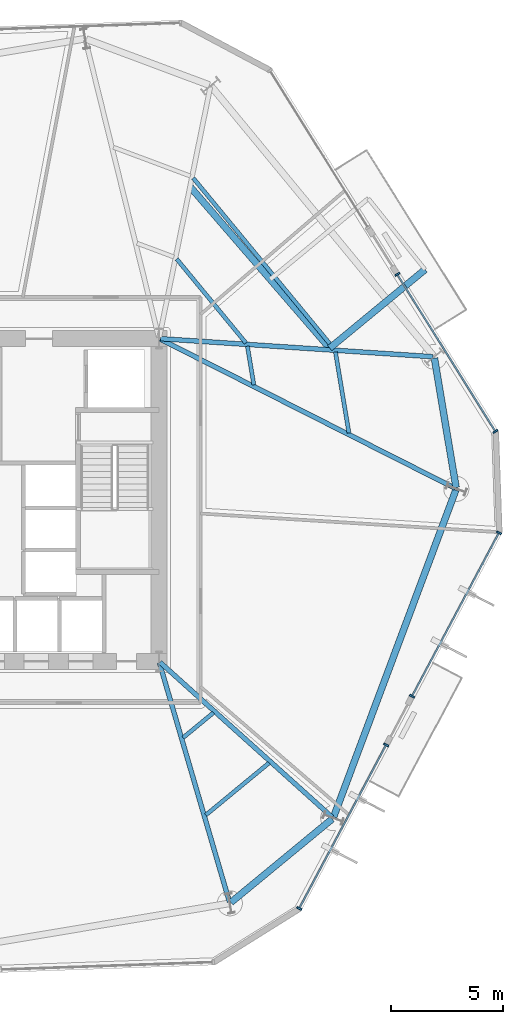
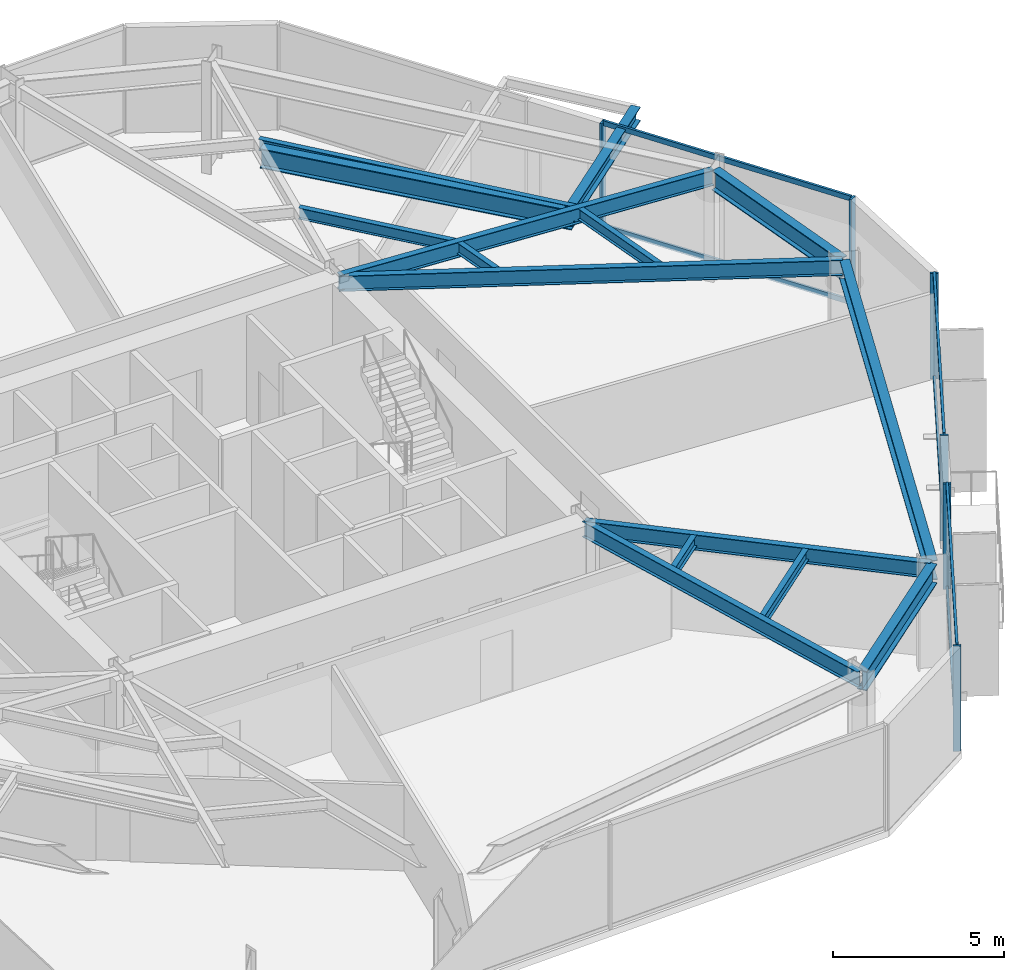
# One storey, part 3 of 10: 15 beams, 12 members, 3 elements without a shape of their own.
"""IFC4 building model written with IfcOpenShell, lengths in metres."""

from ifc_helpers import new_model, si_unit, direction, frame, origin, origin_2d, place, context, subcontext, project, spatial, rectangle, i_section, extrude, material, layer, layer_set, material_profile, profile_set, type_object, element, aggregate, save


model = new_model("IFC4")

# Units and contexts
model_context = context("Model", 3, precision=1e-05, world=origin(), true_north=direction((0.0, 1.0)))
body_context = subcontext(model_context, "Body", "Model", "MODEL_VIEW")
ifc_project = project(units=[si_unit("LENGTHUNIT", "METRE"), si_unit("AREAUNIT", "SQUARE_METRE"), si_unit("VOLUMEUNIT", "CUBIC_METRE"), si_unit("PLANEANGLEUNIT", "RADIAN"), si_unit("MASSUNIT", "GRAM", prefix="KILO")], contexts=[model_context])

# Site, building, storey
site_placement = place(None, origin())
site = spatial("IfcSite", under=ifc_project, at=site_placement, CompositionType="ELEMENT")
building_placement = place(site_placement, origin())
building = spatial("IfcBuilding", under=site, at=building_placement, Name="Kranzbogen Civic Tower", CompositionType="ELEMENT")
storey_placement = place(building_placement, frame((0.0, 0.0, 28.0)))
storey = spatial("IfcBuildingStorey", under=building, at=storey_placement, Name="L06", CompositionType="ELEMENT", Elevation=28.0)

# Curtain wall, members
ifc_material_1 = material(Name="Pale Anodised Aluminium", Category="aluminium")
ifc_layer = layer(ifc_material_1, 0.219970703125, Name="Pale Anodised Aluminium")
ifc_layer_set = layer_set([ifc_layer], Name="Pale Anodised Aluminium")
curtain_wall_type = type_object("IfcCurtainWallType", Name="Zone 1 Stick Curtain Wall System CW-02", PredefinedType="USERDEFINED", material=ifc_layer_set)
curtain_wall_1_placement = place(storey_placement, origin())
curtain_wall_1 = element("IfcCurtainWall", 1, at=curtain_wall_1_placement, inside=storey, type_object=curtain_wall_type, Name="L06 curtain wall CW-L06-F1-S1", ObjectType="STICK CURTAIN WALL", PredefinedType="USERDEFINED")
ifc_material_profile_1 = material_profile(ifc_material_1, rectangle(XDim=0.080078125, YDim=0.239990234375, at=origin_2d()), Name="ALU-M 80x240")
ifc_profile_set_1 = profile_set([ifc_material_profile_1], Name="Pale Anodised Aluminium")
member_type_1 = type_object("IfcMemberType", Name="Curtain Wall Mullion ALU-M 80x240", PredefinedType="MULLION", material=ifc_profile_set_1)
member_1_placement = place(storey_placement, frame((47.80322265625, 28.060546875, 0.0), z_axis=(0.0, 0.0, 1.0), x_axis=(-0.529934100167, 0.848038825456, 0.0)))
member_1 = element("IfcMember", 2, at=member_1_placement, type_object=member_type_1, Name="CW-02 mullion 1", PredefinedType="MULLION", context=body_context, shape_type="SweptSolid", body=[
    extrude(rectangle(XDim=0.080078125, YDim=0.239990234375, at=origin_2d()), origin(), (0.0, 0.0, 1.0), 3.760009765625),
])
member_2_placement = place(storey_placement, frame((43.427001953125, 35.0634765625, 0.0), z_axis=(0.0, 0.0, 1.0), x_axis=(-0.529934100167, 0.848038825456, 0.0)))
member_2 = element("IfcMember", 3, at=member_2_placement, type_object=member_type_1, Name="CW-02 mullion 2", PredefinedType="MULLION", context=body_context, shape_type="SweptSolid", body=[
    extrude(rectangle(XDim=0.080078125, YDim=0.239990234375, at=origin_2d()), origin(), (0.0, 0.0, 1.0), 3.760009765625),
])

curtain_wall_2_placement = place(storey_placement, origin())
curtain_wall_2 = element("IfcCurtainWall", 4, at=curtain_wall_2_placement, inside=storey, type_object=curtain_wall_type, Name="L06 curtain wall CW-L06-F6-S1", ObjectType="STICK CURTAIN WALL", PredefinedType="USERDEFINED")
member_3_placement = place(storey_placement, frame((39.052001953125, 6.781494140625, 0.0), z_axis=(0.0, 0.0, 1.0), x_axis=(0.469383710583, 0.882994299098, 0.0)))
member_3 = element("IfcMember", 5, at=member_3_placement, type_object=member_type_1, Name="CW-02 mullion 1", PredefinedType="MULLION", context=body_context, shape_type="SweptSolid", body=[
    extrude(rectangle(XDim=0.080078125, YDim=0.239990234375, at=origin_2d()), origin(), (0.0, 0.0, 1.0), 3.760009765625),
])
member_4_placement = place(storey_placement, frame((42.928955078125, 14.074462890625, 0.0), z_axis=(0.0, 0.0, 1.0), x_axis=(0.469383710583, 0.882994299098, 0.0)))
member_4 = element("IfcMember", 6, at=member_4_placement, type_object=member_type_1, Name="CW-02 mullion 2", PredefinedType="MULLION", context=body_context, shape_type="SweptSolid", body=[
    extrude(rectangle(XDim=0.080078125, YDim=0.239990234375, at=origin_2d()), origin(), (0.0, 0.0, 1.0), 3.760009765625),
])

curtain_wall_3_placement = place(storey_placement, origin())
curtain_wall_3 = element("IfcCurtainWall", 7, at=curtain_wall_3_placement, inside=storey, type_object=curtain_wall_type, Name="L06 curtain wall CW-L06-F6-S2", ObjectType="STICK CURTAIN WALL", PredefinedType="USERDEFINED")
member_5_placement = place(storey_placement, frame((44.083984375, 16.24658203125, 0.0), z_axis=(0.0, 0.0, 1.0), x_axis=(0.469433533878, 0.882967812137, 0.0)))
member_5 = element("IfcMember", 8, at=member_5_placement, type_object=member_type_1, Name="CW-02 mullion 1", PredefinedType="MULLION", context=body_context, shape_type="SweptSolid", body=[
    extrude(rectangle(XDim=0.080078125, YDim=0.239990234375, at=origin_2d()), origin(), (0.0, 0.0, 1.0), 3.760009765625),
])
member_6_placement = place(storey_placement, frame((47.9609375, 23.53857421875, 0.0), z_axis=(0.0, 0.0, 1.0), x_axis=(0.469433533878, 0.882967812137, 0.0)))
member_6 = element("IfcMember", 9, at=member_6_placement, type_object=member_type_1, Name="CW-02 mullion 2", PredefinedType="MULLION", context=body_context, shape_type="SweptSolid", body=[
    extrude(rectangle(XDim=0.080078125, YDim=0.239990234375, at=origin_2d()), origin(), (0.0, 0.0, 1.0), 3.760009765625),
])

# Member
ifc_material_profile_2 = material_profile(ifc_material_1, rectangle(XDim=0.080078125, YDim=0.179931640625, at=origin_2d()), Name="ALU-T 80x180")
ifc_profile_set_2 = profile_set([ifc_material_profile_2], Name="Pale Anodised Aluminium")
member_type_2 = type_object("IfcMemberType", Name="Curtain Wall Transom ALU-T 80x180", PredefinedType="USERDEFINED", material=ifc_profile_set_2)
member_7_placement = place(storey_placement, frame((47.787109375, 28.0859375, 0.030029296875), z_axis=(-0.529923983383, 0.848045147286, 0.0), x_axis=(-0.848045147286, -0.529923983383, 0.0)))
member_7 = element("IfcMember", 10, at=member_7_placement, type_object=member_type_2, Name="CW-02 transom 1.1", ObjectType="TRANSOM", PredefinedType="USERDEFINED", context=body_context, shape_type="SweptSolid", body=[
    extrude(rectangle(XDim=0.080078125, YDim=0.179931640625, at=origin_2d()), origin(), (0.0, 0.0, 1.0), 8.19775390625),
])

member_8_placement = place(storey_placement, frame((47.787109375, 28.0859375, 3.72998046875), z_axis=(-0.529923983383, 0.848045147286, 0.0), x_axis=(-0.848045147286, -0.529923983383, 0.0)))
member_8 = element("IfcMember", 11, at=member_8_placement, type_object=member_type_2, Name="CW-02 transom 1.2", ObjectType="TRANSOM", PredefinedType="USERDEFINED", context=body_context, shape_type="SweptSolid", body=[
    extrude(rectangle(XDim=0.080078125, YDim=0.179931640625, at=origin_2d()), origin(), (0.0, 0.0, 1.0), 8.19775390625),
])

aggregate(curtain_wall_1, [member_1, member_2, member_7, member_8])

member_9_placement = place(storey_placement, frame((39.066162109375, 6.807861328125, 0.030029296875), z_axis=(0.469370007928, 0.883001583044, 0.0), x_axis=(-0.883001583044, 0.469370007928, 0.0)))
member_9 = element("IfcMember", 12, at=member_9_placement, type_object=member_type_2, Name="CW-02 transom 1.1", ObjectType="TRANSOM", PredefinedType="USERDEFINED", context=body_context, shape_type="SweptSolid", body=[
    extrude(rectangle(XDim=0.080078125, YDim=0.179931640625, at=origin_2d()), origin(), (0.0, 0.0, 1.0), 8.199462890625),
])

member_10_placement = place(storey_placement, frame((39.066162109375, 6.807861328125, 3.72998046875), z_axis=(0.469370007928, 0.883001583044, 0.0), x_axis=(-0.883001583044, 0.469370007928, 0.0)))
member_10 = element("IfcMember", 13, at=member_10_placement, type_object=member_type_2, Name="CW-02 transom 1.2", ObjectType="TRANSOM", PredefinedType="USERDEFINED", context=body_context, shape_type="SweptSolid", body=[
    extrude(rectangle(XDim=0.080078125, YDim=0.179931640625, at=origin_2d()), origin(), (0.0, 0.0, 1.0), 8.199462890625),
])

aggregate(curtain_wall_2, [member_3, member_4, member_9, member_10])

member_11_placement = place(storey_placement, frame((44.09814453125, 16.27294921875, 0.030029296875), z_axis=(0.469431716395, 0.882968778408, 0.0), x_axis=(-0.882968778408, 0.469431716395, 0.0)))
member_11 = element("IfcMember", 14, at=member_11_placement, type_object=member_type_2, Name="CW-02 transom 1.1", ObjectType="TRANSOM", PredefinedType="USERDEFINED", context=body_context, shape_type="SweptSolid", body=[
    extrude(rectangle(XDim=0.080078125, YDim=0.179931640625, at=origin_2d()), origin(), (0.0, 0.0, 1.0), 8.198486328125),
])

member_12_placement = place(storey_placement, frame((44.09814453125, 16.27294921875, 3.72998046875), z_axis=(0.469431716395, 0.882968778408, 0.0), x_axis=(-0.882968778408, 0.469431716395, 0.0)))
member_12 = element("IfcMember", 15, at=member_12_placement, type_object=member_type_2, Name="CW-02 transom 1.2", ObjectType="TRANSOM", PredefinedType="USERDEFINED", context=body_context, shape_type="SweptSolid", body=[
    extrude(rectangle(XDim=0.080078125, YDim=0.179931640625, at=origin_2d()), origin(), (0.0, 0.0, 1.0), 8.198486328125),
])

aggregate(curtain_wall_3, [member_5, member_6, member_11, member_12])

# Beams
ifc_material_2 = material(Name="Steel S355", Category="steel")
ifc_material_profile_3 = material_profile(ifc_material_2, i_section(OverallWidth=0.300048828125, OverallDepth=0.5, WebThickness=0.014404296875, FlangeThickness=0.028076171875, at=origin_2d()), Name="HEB 500")
ifc_profile_set_3 = profile_set([ifc_material_profile_3], Name="Steel S355")
beam_type_1 = type_object("IfcBeamType", Name="Perimeter Tube Spandrel Beam HEB 500", PredefinedType="SPANDREL", material=ifc_profile_set_3)
beam_1_placement = place(storey_placement, frame((40.410888671875, 31.77197265625, 3.5), z_axis=(0.77160418619, 0.636102963249, 0.0), x_axis=(-0.636102963249, 0.77160418619, 0.0)))
element("IfcBeam", 16, at=beam_1_placement, inside=storey, type_object=beam_type_1, Name="L07 back-spanned terrace beam L07-TB2-1", PredefinedType="SPANDREL", context=body_context, shape_type="SweptSolid", body=[
    extrude(i_section(OverallWidth=0.300048828125, OverallDepth=0.5, WebThickness=0.014404296875, FlangeThickness=0.028076171875, at=origin_2d()), origin(), (0.0, 0.0, 1.0), 5.513427734375),
])
ifc_material_profile_4 = material_profile(ifc_material_2, i_section(OverallWidth=0.300048828125, OverallDepth=0.699951171875, WebThickness=0.01708984375, FlangeThickness=0.031982421875, at=origin_2d()), Name="HEB 700")
ifc_profile_set_4 = profile_set([ifc_material_profile_4], Name="Steel S355")
beam_type_2 = type_object("IfcBeamType", Name="Perimeter Tube Spandrel Beam HEB 700", PredefinedType="SPANDREL", material=ifc_profile_set_4)
beam_2_placement = place(storey_placement, frame((36.00390625, 7.050048828125, 3.409912109375), z_axis=(0.77168336865, 0.636006901337, 0.0), x_axis=(-0.636006901337, 0.77168336865, 0.0)))
element("IfcBeam", 17, at=beam_2_placement, inside=storey, type_object=beam_type_2, Name="L06 perimeter spandrel beam 05", PredefinedType="SPANDREL", context=body_context, shape_type="SweptSolid", body=[
    extrude(i_section(OverallWidth=0.300048828125, OverallDepth=0.699951171875, WebThickness=0.01708984375, FlangeThickness=0.031982421875, at=origin_2d()), origin(), (0.0, 0.0, 1.0), 5.853515625),
])
beam_3_placement = place(storey_placement, frame((40.587890625, 10.866943359375, 3.409912109375), z_axis=(0.350172267932, 0.936685316833, 0.0), x_axis=(-0.936685316833, 0.350172267932, 0.0)))
element("IfcBeam", 18, at=beam_3_placement, inside=storey, type_object=beam_type_2, Name="L06 perimeter spandrel beam 06", PredefinedType="SPANDREL", context=body_context, shape_type="SweptSolid", body=[
    extrude(i_section(OverallWidth=0.300048828125, OverallDepth=0.699951171875, WebThickness=0.01708984375, FlangeThickness=0.031982421875, at=origin_2d()), origin(), (0.0, 0.0, 1.0), 15.55810546875),
])
beam_4_placement = place(storey_placement, frame((46.047119140625, 25.554931640625, 3.409912109375), z_axis=(-0.164913116942, 0.986308097838, 0.0), x_axis=(-0.986308097838, -0.164913116942, 0.0)))
element("IfcBeam", 19, at=beam_4_placement, inside=storey, type_object=beam_type_2, Name="L06 perimeter spandrel beam 07", PredefinedType="SPANDREL", context=body_context, shape_type="SweptSolid", body=[
    extrude(i_section(OverallWidth=0.300048828125, OverallDepth=0.699951171875, WebThickness=0.01708984375, FlangeThickness=0.031982421875, at=origin_2d()), origin(), (0.0, 0.0, 1.0), 5.85205078125),
])
beam_5_placement = place(storey_placement, frame((40.48193359375, 31.68994140625, 3.39990234375), z_axis=(-0.654072384898, 0.75643196344, 0.0), x_axis=(-0.75643196344, -0.654072384898, 0.0)))
element("IfcBeam", 20, at=beam_5_placement, inside=storey, type_object=beam_type_2, Name="L07 balcony back-span header girder L07-TB2", PredefinedType="SPANDREL", context=body_context, shape_type="SweptSolid", body=[
    extrude(i_section(OverallWidth=0.300048828125, OverallDepth=0.699951171875, WebThickness=0.01708984375, FlangeThickness=0.031982421875, at=origin_2d()), origin(), (0.0, 0.0, 1.0), 9.633544921875),
])
ifc_material_profile_5 = material_profile(ifc_material_2, i_section(OverallWidth=0.2099609375, OverallDepth=0.550048828125, WebThickness=0.010986328125, FlangeThickness=0.01708984375, at=origin_2d()), Name="IPE 550")
ifc_profile_set_5 = profile_set([ifc_material_profile_5], Name="Steel S355")
beam_type_3 = type_object("IfcBeamType", Name="Radial Tower Floor Girder IPE 550", PredefinedType="BEAM", material=ifc_profile_set_5)
beam_6_placement = place(storey_placement, frame((35.94091796875, 7.070068359375, 3.485107421875), z_axis=(-0.280944131918, 0.959724124288, 0.0), x_axis=(-0.959724124288, -0.280944131918, 0.0)))
element("IfcBeam", 21, at=beam_6_placement, inside=storey, type_object=beam_type_3, Name="L06 radial floor girder 05", PredefinedType="BEAM", context=body_context, shape_type="SweptSolid", body=[
    extrude(i_section(OverallWidth=0.2099609375, OverallDepth=0.550048828125, WebThickness=0.010986328125, FlangeThickness=0.01708984375, at=origin_2d()), origin(), (0.0, 0.0, 1.0), 11.11962890625),
])
beam_7_placement = place(storey_placement, frame((40.52197265625, 10.85107421875, 3.485107421875), z_axis=(-0.743311776894, 0.668945141496, 0.0), x_axis=(-0.668945141496, -0.743311776894, 0.0)))
element("IfcBeam", 22, at=beam_7_placement, inside=storey, type_object=beam_type_3, Name="L06 radial floor girder 06", PredefinedType="BEAM", context=body_context, shape_type="SweptSolid", body=[
    extrude(i_section(OverallWidth=0.2099609375, OverallDepth=0.550048828125, WebThickness=0.010986328125, FlangeThickness=0.01708984375, at=origin_2d()), origin(), (0.0, 0.0, 1.0), 10.328125),
])
beam_8_placement = place(storey_placement, frame((46.0029296875, 25.52294921875, 3.485107421875), z_axis=(-0.892363219254, 0.451317942168, 0.0), x_axis=(-0.451317942168, -0.892363219254, 0.0)))
element("IfcBeam", 23, at=beam_8_placement, inside=storey, type_object=beam_type_3, Name="L06 radial floor girder 07", PredefinedType="BEAM", context=body_context, shape_type="SweptSolid", body=[
    extrude(i_section(OverallWidth=0.2099609375, OverallDepth=0.550048828125, WebThickness=0.010986328125, FlangeThickness=0.01708984375, at=origin_2d()), origin(), (0.0, 0.0, 1.0), 14.73486328125),
])
beam_9_placement = place(storey_placement, frame((45.011962890625, 31.389892578125, 3.485107421875), z_axis=(-0.99780674843, 0.066194356156, 0.0), x_axis=(-0.066194356156, -0.99780674843, 0.0)))
element("IfcBeam", 24, at=beam_9_placement, inside=storey, type_object=beam_type_3, Name="L06 radial floor girder 08", PredefinedType="BEAM", context=body_context, shape_type="SweptSolid", body=[
    extrude(i_section(OverallWidth=0.2099609375, OverallDepth=0.550048828125, WebThickness=0.010986328125, FlangeThickness=0.01708984375, at=origin_2d()), origin(), (0.0, 0.0, 1.0), 12.178466796875),
])
ifc_material_profile_6 = material_profile(ifc_material_2, i_section(OverallWidth=0.179931640625, OverallDepth=0.39990234375, WebThickness=0.008544921875, FlangeThickness=0.013427734375, at=origin_2d()), Name="IPE 400")
ifc_profile_set_6 = profile_set([ifc_material_profile_6], Name="Steel S355")
beam_type_4 = type_object("IfcBeamType", Name="Secondary Composite Floor Joist IPE 400", PredefinedType="JOIST", material=ifc_profile_set_6)
beam_10_placement = place(storey_placement, frame((34.883056640625, 10.947021484375, 3.56005859375), z_axis=(0.771712720426, 0.635971286406, 0.0), x_axis=(-0.635971286406, 0.771712720426, 0.0)))
element("IfcBeam", 25, at=beam_10_placement, inside=storey, type_object=beam_type_4, Name="L06 secondary floor joist 1.05", PredefinedType="JOIST", context=body_context, shape_type="SweptSolid", body=[
    extrude(i_section(OverallWidth=0.179931640625, OverallDepth=0.39990234375, WebThickness=0.008544921875, FlangeThickness=0.013427734375, at=origin_2d()), origin(), (0.0, 0.0, 1.0), 3.661865234375),
])
beam_11_placement = place(storey_placement, frame((33.8720703125, 14.39892578125, 3.56005859375), z_axis=(0.771773324836, 0.635897739477, 0.0), x_axis=(-0.635897739477, 0.771773324836, 0.0)))
element("IfcBeam", 26, at=beam_11_placement, inside=storey, type_object=beam_type_4, Name="L06 secondary floor joist 2.05", PredefinedType="JOIST", context=body_context, shape_type="SweptSolid", body=[
    extrude(i_section(OverallWidth=0.179931640625, OverallDepth=0.39990234375, WebThickness=0.008544921875, FlangeThickness=0.013427734375, at=origin_2d()), origin(), (0.0, 0.0, 1.0), 1.751953125),
])
beam_12_placement = place(storey_placement, frame((41.27099609375, 27.988037109375, 3.56005859375), z_axis=(-0.164928678379, 0.986305495802, 0.0), x_axis=(-0.986305495802, -0.164928678379, 0.0)))
element("IfcBeam", 27, at=beam_12_placement, inside=storey, type_object=beam_type_4, Name="L06 secondary floor joist 1.07", PredefinedType="JOIST", context=body_context, shape_type="SweptSolid", body=[
    extrude(i_section(OverallWidth=0.179931640625, OverallDepth=0.39990234375, WebThickness=0.008544921875, FlangeThickness=0.013427734375, at=origin_2d()), origin(), (0.0, 0.0, 1.0), 3.662109375),
])
beam_13_placement = place(storey_placement, frame((37.029052734375, 30.134033203125, 3.56005859375), z_axis=(-0.165077224104, 0.986280644686, 0.0), x_axis=(-0.986280644686, -0.165077224104, 0.0)))
element("IfcBeam", 28, at=beam_13_placement, inside=storey, type_object=beam_type_4, Name="L06 secondary floor joist 2.07", PredefinedType="JOIST", context=body_context, shape_type="SweptSolid", body=[
    extrude(i_section(OverallWidth=0.179931640625, OverallDepth=0.39990234375, WebThickness=0.008544921875, FlangeThickness=0.013427734375, at=origin_2d()), origin(), (0.0, 0.0, 1.0), 1.7509765625),
])
beam_14_placement = place(storey_placement, frame((40.60302734375, 31.740966796875, 3.56005859375), z_axis=(-0.636094561772, 0.771611112209, 0.0), x_axis=(-0.771611112209, -0.636094561772, 0.0)))
element("IfcBeam", 29, at=beam_14_placement, inside=storey, type_object=beam_type_4, Name="L06 secondary floor joist 1.08", PredefinedType="JOIST", context=body_context, shape_type="SweptSolid", body=[
    extrude(i_section(OverallWidth=0.179931640625, OverallDepth=0.39990234375, WebThickness=0.008544921875, FlangeThickness=0.013427734375, at=origin_2d()), origin(), (0.0, 0.0, 1.0), 9.874267578125),
])
beam_15_placement = place(storey_placement, frame((36.676025390625, 32.0009765625, 3.56005859375), z_axis=(-0.636012010413, 0.771679157818, 0.0), x_axis=(-0.771679157818, -0.636012010413, 0.0)))
element("IfcBeam", 30, at=beam_15_placement, inside=storey, type_object=beam_type_4, Name="L06 secondary floor joist 2.08", PredefinedType="JOIST", context=body_context, shape_type="SweptSolid", body=[
    extrude(i_section(OverallWidth=0.179931640625, OverallDepth=0.39990234375, WebThickness=0.008544921875, FlangeThickness=0.013427734375, at=origin_2d()), origin(), (0.0, 0.0, 1.0), 4.85693359375),
])

save(model, "model.ifc")
